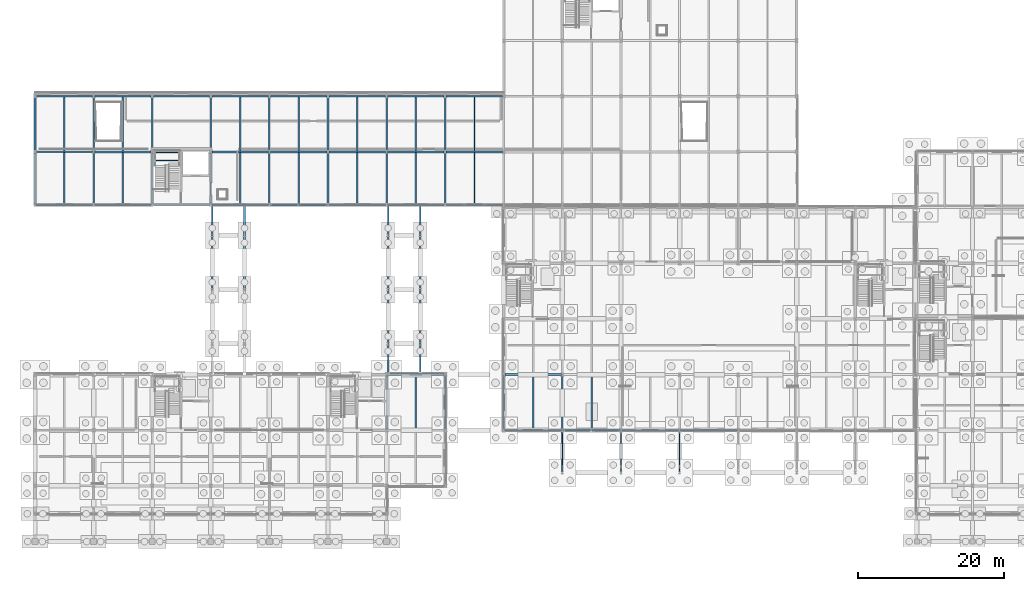
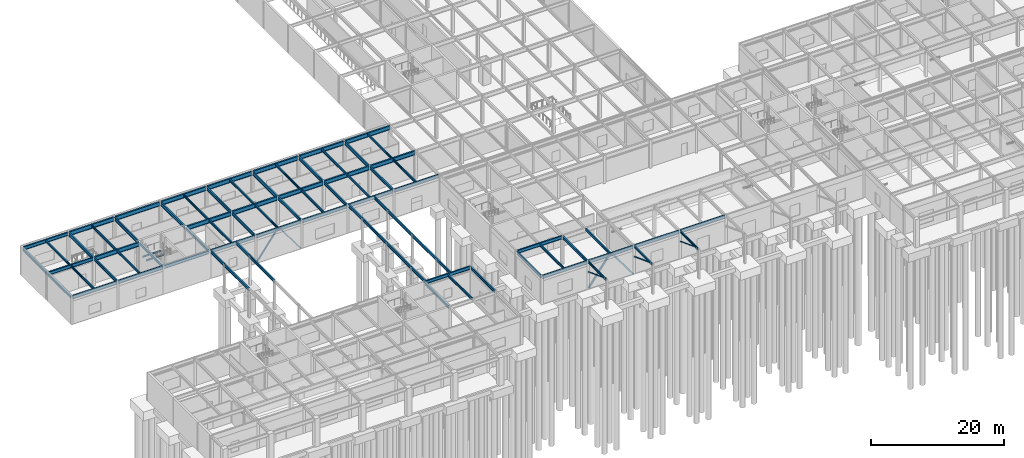
# One storey, part 29 of 62: 83 beams, 7 members.
"""IFC4 building model written with IfcOpenShell, lengths in metres."""

from ifc_helpers import new_model, si_unit, direction, frame, origin, origin_2d, place, context, subcontext, project, spatial, hollow_rectangle, i_section, extrude, material, material_profile, profile_set, type_object, element, save


model = new_model("IFC4")

# Units and contexts
model_context = context("Model", 3, precision=1e-05, world=origin(), true_north=direction((0.0, 1.0)))
body_context = subcontext(model_context, "Body", "Model", "MODEL_VIEW")
ifc_project = project(units=[si_unit("LENGTHUNIT", "METRE"), si_unit("AREAUNIT", "SQUARE_METRE"), si_unit("VOLUMEUNIT", "CUBIC_METRE"), si_unit("PLANEANGLEUNIT", "RADIAN"), si_unit("MASSUNIT", "GRAM", prefix="KILO")], contexts=[model_context])

# Site, building, storey
site_placement = place(None, origin())
site = spatial("IfcSite", under=ifc_project, at=site_placement, CompositionType="ELEMENT")
building_placement = place(site_placement, origin())
building = spatial("IfcBuilding", under=site, at=building_placement, Name="Zulena Civic Courthouse", CompositionType="ELEMENT")
storey_placement = place(building_placement, origin())
storey = spatial("IfcBuildingStorey", under=building, at=storey_placement, Name="L00", CompositionType="ELEMENT", Elevation=0.0)

# Members
ifc_material_1 = material(Name="Steel ASTM A500 Grade C", Category="steel")
ifc_material_profile_1 = material_profile(ifc_material_1, hollow_rectangle(XDim=0.25390625, YDim=0.25390625, WallThickness=0.01171875, at=origin_2d()), Name="HSS10X10X1/2")
ifc_profile_set_1 = profile_set([ifc_material_profile_1], Name="Steel ASTM A500 Grade C")
member_type_1 = type_object("IfcMemberType", Name="Brace_HSS10", PredefinedType="BRACE", material=ifc_profile_set_1)
for number, where, z_axis, x_axis, name in (
    (1, (76.14990234375, 15.199951171875, 0.010009765625), (0.593744110518, 0.0, 0.804653920158), (0.0, 1.0, 0.0), "brace:V4:L00:4:0"),
    (2, (83.85009765625, 15.199951171875, 0.010009765625), (-0.593744110518, 0.0, 0.804653920158), (0.0, -1.0, 0.0), "brace:V4:L00:4:1"),
):
    element("IfcMember", number, at=place(storey_placement, frame(where, z_axis=z_axis, x_axis=x_axis)), inside=storey, type_object=member_type_1, Name=name, PredefinedType="BRACE", context=body_context, shape_type="SweptSolid", body=[
        extrude(hollow_rectangle(XDim=0.25390625, YDim=0.25390625, WallThickness=0.01171875, at=origin_2d()), origin(), (0.0, 0.0, 1.0), 6.400146484375),
    ])
ifc_material_profile_2 = material_profile(ifc_material_1, hollow_rectangle(XDim=0.202880859375, YDim=0.202880859375, WallThickness=0.01171875, at=origin_2d()), Name="HSS8X8X1/2")
ifc_profile_set_2 = profile_set([ifc_material_profile_2], Name="Steel ASTM A500 Grade C")
member_type_2 = type_object("IfcMemberType", Name="Brace_HSS8", PredefinedType="BRACE", material=ifc_profile_set_2)
for number, where, z_axis, x_axis, name in (
    (3, (36.14990234375, 46.0, 0.010009765625), (0.593744110518, 0.0, 0.804653920158), (0.0, 1.0, 0.0), "brace:V5:L00:5:0"),
    (4, (43.85009765625, 46.0, 0.010009765625), (-0.593744110518, 0.0, 0.804653920158), (0.0, -1.0, 0.0), "brace:V5:L00:5:1"),
):
    element("IfcMember", number, at=place(storey_placement, frame(where, z_axis=z_axis, x_axis=x_axis)), inside=storey, type_object=member_type_2, Name=name, PredefinedType="BRACE", context=body_context, shape_type="SweptSolid", body=[
        extrude(hollow_rectangle(XDim=0.202880859375, YDim=0.202880859375, WallThickness=0.01171875, at=origin_2d()), origin(), (0.0, 0.0, 1.0), 6.400146484375),
    ])

# Beams
ifc_material_2 = material(Name="Steel ASTM A992 Grade 50", Category="steel")
ifc_material_profile_3 = material_profile(ifc_material_2, i_section(OverallWidth=0.2099609375, OverallDepth=0.537109375, WebThickness=0.010986328125, FlangeThickness=0.017333984375, FilletRadius=0.0126953125, at=origin_2d()), Name="W21X68")
ifc_profile_set_3 = profile_set([ifc_material_profile_3], Name="Steel ASTM A992 Grade 50")
beam_type_1 = type_object("IfcBeamType", Name="BridgeGirder_W21X68", PredefinedType="BEAM", material=ifc_profile_set_3)
beam_1_placement = place(storey_placement, frame((28.199951171875, 34.39990234375, 4.9365234375), z_axis=(0.0, 1.0, 0.0), x_axis=(-1.0, 0.0, 0.0)))
element("IfcBeam", 5, at=beam_1_placement, inside=storey, type_object=beam_type_1, Name="beam:bridge:BR-52J:L01:28.20:2", PredefinedType="BEAM", context=body_context, shape_type="SweptSolid", body=[
    extrude(i_section(OverallWidth=0.2099609375, OverallDepth=0.537109375, WebThickness=0.010986328125, FlangeThickness=0.017333984375, FilletRadius=0.0126953125, at=origin_2d()), origin(), (0.0, 0.0, 1.0), 7.400146484375),
])
beam_2_placement = place(storey_placement, frame((28.199951171875, 41.800048828125, 4.9365234375), z_axis=(0.0, 1.0, 0.0), x_axis=(-1.0, 0.0, 0.0)))
element("IfcBeam", 6, at=beam_2_placement, inside=storey, type_object=beam_type_1, Name="beam:bridge:BR-52J:L01:28.20:3", PredefinedType="BEAM", context=body_context, shape_type="SweptSolid", body=[
    extrude(i_section(OverallWidth=0.2099609375, OverallDepth=0.537109375, WebThickness=0.010986328125, FlangeThickness=0.017333984375, FilletRadius=0.0126953125, at=origin_2d()), origin(), (0.0, 0.0, 1.0), 4.169921875),
])
beam_3_placement = place(storey_placement, frame((32.60009765625, 34.39990234375, 4.9365234375), z_axis=(0.0, 1.0, 0.0), x_axis=(-1.0, 0.0, 0.0)))
element("IfcBeam", 7, at=beam_3_placement, inside=storey, type_object=beam_type_1, Name="beam:bridge:BR-52J:L01:32.60:2", PredefinedType="BEAM", context=body_context, shape_type="SweptSolid", body=[
    extrude(i_section(OverallWidth=0.2099609375, OverallDepth=0.537109375, WebThickness=0.010986328125, FlangeThickness=0.017333984375, FilletRadius=0.0126953125, at=origin_2d()), origin(), (0.0, 0.0, 1.0), 7.400146484375),
])
for number, where, z_axis, x_axis, name in (
    (8, (32.60009765625, 41.800048828125, 4.9365234375), (0.0, 1.0, 0.0), (-1.0, 0.0, 0.0), "beam:bridge:BR-52J:L01:32.60:3"),
    (9, (52.199951171875, 22.830078125, 4.9365234375), (0.0, 1.0, 0.0), (-1.0, 0.0, 0.0), "beam:bridge:BR-52C:L01:52.20:0"),
):
    element("IfcBeam", number, at=place(storey_placement, frame(where, z_axis=z_axis, x_axis=x_axis)), inside=storey, type_object=beam_type_1, Name=name, PredefinedType="BEAM", context=body_context, shape_type="SweptSolid", body=[
        extrude(i_section(OverallWidth=0.2099609375, OverallDepth=0.537109375, WebThickness=0.010986328125, FlangeThickness=0.017333984375, FilletRadius=0.0126953125, at=origin_2d()), origin(), (0.0, 0.0, 1.0), 4.169921875),
    ])
beam_4_placement = place(storey_placement, frame((52.199951171875, 27.0, 4.9365234375), z_axis=(0.0, 1.0, 0.0), x_axis=(-1.0, 0.0, 0.0)))
element("IfcBeam", 10, at=beam_4_placement, inside=storey, type_object=beam_type_1, Name="beam:bridge:BR-52C:L01:52.20:1", PredefinedType="BEAM", context=body_context, shape_type="SweptSolid", body=[
    extrude(i_section(OverallWidth=0.2099609375, OverallDepth=0.537109375, WebThickness=0.010986328125, FlangeThickness=0.017333984375, FilletRadius=0.0126953125, at=origin_2d()), origin(), (0.0, 0.0, 1.0), 7.39990234375),
])
beam_5_placement = place(storey_placement, frame((52.199951171875, 34.39990234375, 4.9365234375), z_axis=(0.0, 1.0, 0.0), x_axis=(-1.0, 0.0, 0.0)))
element("IfcBeam", 11, at=beam_5_placement, inside=storey, type_object=beam_type_1, Name="beam:bridge:BR-52C:L01:52.20:2", PredefinedType="BEAM", context=body_context, shape_type="SweptSolid", body=[
    extrude(i_section(OverallWidth=0.2099609375, OverallDepth=0.537109375, WebThickness=0.010986328125, FlangeThickness=0.017333984375, FilletRadius=0.0126953125, at=origin_2d()), origin(), (0.0, 0.0, 1.0), 7.400146484375),
])
for number, where, z_axis, x_axis, name in (
    (12, (52.199951171875, 41.800048828125, 4.9365234375), (0.0, 1.0, 0.0), (-1.0, 0.0, 0.0), "beam:bridge:BR-52C:L01:52.20:3"),
    (13, (56.60009765625, 22.830078125, 4.9365234375), (0.0, 1.0, 0.0), (-1.0, 0.0, 0.0), "beam:bridge:BR-52C:L01:56.60:0"),
):
    element("IfcBeam", number, at=place(storey_placement, frame(where, z_axis=z_axis, x_axis=x_axis)), inside=storey, type_object=beam_type_1, Name=name, PredefinedType="BEAM", context=body_context, shape_type="SweptSolid", body=[
        extrude(i_section(OverallWidth=0.2099609375, OverallDepth=0.537109375, WebThickness=0.010986328125, FlangeThickness=0.017333984375, FilletRadius=0.0126953125, at=origin_2d()), origin(), (0.0, 0.0, 1.0), 4.169921875),
    ])
beam_6_placement = place(storey_placement, frame((56.60009765625, 27.0, 4.9365234375), z_axis=(0.0, 1.0, 0.0), x_axis=(-1.0, 0.0, 0.0)))
element("IfcBeam", 14, at=beam_6_placement, inside=storey, type_object=beam_type_1, Name="beam:bridge:BR-52C:L01:56.60:1", PredefinedType="BEAM", context=body_context, shape_type="SweptSolid", body=[
    extrude(i_section(OverallWidth=0.2099609375, OverallDepth=0.537109375, WebThickness=0.010986328125, FlangeThickness=0.017333984375, FilletRadius=0.0126953125, at=origin_2d()), origin(), (0.0, 0.0, 1.0), 7.39990234375),
])
beam_7_placement = place(storey_placement, frame((56.60009765625, 34.39990234375, 4.9365234375), z_axis=(0.0, 1.0, 0.0), x_axis=(-1.0, 0.0, 0.0)))
element("IfcBeam", 15, at=beam_7_placement, inside=storey, type_object=beam_type_1, Name="beam:bridge:BR-52C:L01:56.60:2", PredefinedType="BEAM", context=body_context, shape_type="SweptSolid", body=[
    extrude(i_section(OverallWidth=0.2099609375, OverallDepth=0.537109375, WebThickness=0.010986328125, FlangeThickness=0.017333984375, FilletRadius=0.0126953125, at=origin_2d()), origin(), (0.0, 0.0, 1.0), 7.400146484375),
])
beam_8_placement = place(storey_placement, frame((56.60009765625, 41.800048828125, 4.9365234375), z_axis=(0.0, 1.0, 0.0), x_axis=(-1.0, 0.0, 0.0)))
element("IfcBeam", 16, at=beam_8_placement, inside=storey, type_object=beam_type_1, Name="beam:bridge:BR-52C:L01:56.60:3", PredefinedType="BEAM", context=body_context, shape_type="SweptSolid", body=[
    extrude(i_section(OverallWidth=0.2099609375, OverallDepth=0.537109375, WebThickness=0.010986328125, FlangeThickness=0.017333984375, FilletRadius=0.0126953125, at=origin_2d()), origin(), (0.0, 0.0, 1.0), 4.169921875),
])
ifc_material_profile_4 = material_profile(ifc_material_2, i_section(OverallWidth=0.177978515625, OverallDepth=0.406005859375, WebThickness=0.0078125, FlangeThickness=0.0126953125, FilletRadius=0.01025390625, at=origin_2d()), Name="W16X40")
ifc_profile_set_4 = profile_set([ifc_material_profile_4], Name="Steel ASTM A992 Grade 50")
beam_type_2 = type_object("IfcBeamType", Name="CanopyBeam_W16X40", PredefinedType="BEAM", material=ifc_profile_set_4)
for number, where, z_axis, x_axis, name in (
    (17, (76.0, 9.56005859375, 5.0419921875), (0.0, 1.0, 0.0), (-1.0, 0.0, 0.0), "beam:canopy:76.0"),
    (18, (84.0, 9.56005859375, 5.0419921875), (0.0, 1.0, 0.0), (-1.0, 0.0, 0.0), "beam:canopy:84.0"),
    (19, (92.0, 9.56005859375, 5.0419921875), (0.0, 1.0, 0.0), (-1.0, 0.0, 0.0), "beam:canopy:92.0"),
):
    element("IfcBeam", number, at=place(storey_placement, frame(where, z_axis=z_axis, x_axis=x_axis)), inside=storey, type_object=beam_type_2, Name=name, PredefinedType="BEAM", context=body_context, shape_type="SweptSolid", body=[
        extrude(i_section(OverallWidth=0.177978515625, OverallDepth=0.406005859375, WebThickness=0.0078125, FlangeThickness=0.0126953125, FilletRadius=0.01025390625, at=origin_2d()), origin(), (0.0, 0.0, 1.0), 5.43994140625),
    ])

# Members
ifc_material_profile_5 = material_profile(ifc_material_1, hollow_rectangle(XDim=0.152099609375, YDim=0.152099609375, WallThickness=0.0087890625, at=origin_2d()), Name="HSS6X6X3/8")
ifc_profile_set_5 = profile_set([ifc_material_profile_5], Name="Steel ASTM A500 Grade C")
member_type_3 = type_object("IfcMemberType", Name="CanopyStrut_HSS6", PredefinedType="BRACE", material=ifc_profile_set_5)
member_placement = place(storey_placement, frame((84.0, 15.0, 3.199951171875), z_axis=(0.0, -0.935038849003, 0.354545273349), x_axis=(1.0, 0.0, 0.0)))
element("IfcMember", 20, at=member_placement, inside=storey, type_object=member_type_3, Name="mem:canopy:strut:84.0", PredefinedType="BRACE", context=body_context, shape_type="SweptSolid", body=[
    extrude(hollow_rectangle(XDim=0.152099609375, YDim=0.152099609375, WallThickness=0.0087890625, at=origin_2d()), origin(), (0.0, 0.0, 1.0), 5.133544921875),
])
ifc_material_profile_6 = material_profile(ifc_material_1, hollow_rectangle(XDim=0.10205078125, YDim=0.152099609375, WallThickness=0.0087890625, at=origin_2d()), Name="HSS6X4X3/8")
ifc_profile_set_6 = profile_set([ifc_material_profile_6], Name="Steel ASTM A500 Grade C")
member_type_4 = type_object("IfcMemberType", Name="CanopyStrut_HSS6X4", PredefinedType="BRACE", material=ifc_profile_set_6)
for number, where, z_axis, x_axis, name in (
    (21, (76.0, 15.0, 3.199951171875), (0.0, -0.935038849003, 0.354545273349), (1.0, 0.0, 0.0), "mem:canopy:strut:76.0"),
    (22, (92.0, 15.0, 3.199951171875), (0.0, -0.935038849003, 0.354545273349), (1.0, 0.0, 0.0), "mem:canopy:strut:92.0"),
):
    element("IfcMember", number, at=place(storey_placement, frame(where, z_axis=z_axis, x_axis=x_axis)), inside=storey, type_object=member_type_4, Name=name, PredefinedType="BRACE", context=body_context, shape_type="SweptSolid", body=[
        extrude(hollow_rectangle(XDim=0.10205078125, YDim=0.152099609375, WallThickness=0.0087890625, at=origin_2d()), origin(), (0.0, 0.0, 1.0), 5.133544921875),
    ])

# Beams
ifc_material_profile_7 = material_profile(ifc_material_2, i_section(OverallWidth=0.22802734375, OverallDepth=0.60693359375, WebThickness=0.01123046875, FlangeThickness=0.017333984375, FilletRadius=0.0126953125, at=origin_2d()), Name="W24X76")
ifc_profile_set_7 = profile_set([ifc_material_profile_7], Name="Steel ASTM A992 Grade 50")
beam_type_3 = type_object("IfcBeamType", Name="Girder_W24X76", PredefinedType="BEAM", material=ifc_profile_set_7)
for number, where, z_axis, x_axis, name in (
    (23, (12.0, 53.344970703125, 4.881591796875), (0.0, 1.0, 0.0), (-1.0, 0.0, 0.0), "beam:Y:V5:L00:12.0:53.2_60.8"),
    (24, (20.0, 53.344970703125, 4.881591796875), (0.0, 1.0, 0.0), (-1.0, 0.0, 0.0), "beam:Y:V5:L00:20.0:53.2_60.8"),
    (25, (28.0, 53.344970703125, 4.881591796875), (0.0, 1.0, 0.0), (-1.0, 0.0, 0.0), "beam:Y:V5:L00:28.0:53.2_60.8"),
    (26, (36.0, 53.344970703125, 4.881591796875), (0.0, 1.0, 0.0), (-1.0, 0.0, 0.0), "beam:Y:V5:L00:36.0:53.2_60.8"),
    (27, (44.0, 53.344970703125, 4.881591796875), (0.0, 1.0, 0.0), (-1.0, 0.0, 0.0), "beam:Y:V5:L00:44.0:53.2_60.8"),
    (28, (52.0, 53.344970703125, 4.881591796875), (0.0, 1.0, 0.0), (-1.0, 0.0, 0.0), "beam:Y:V5:L00:52.0:53.2_60.8"),
    (29, (60.0, 53.344970703125, 4.881591796875), (0.0, 1.0, 0.0), (-1.0, 0.0, 0.0), "beam:Y:V5:L00:60.0:53.2_60.8"),
):
    element("IfcBeam", number, at=place(storey_placement, frame(where, z_axis=z_axis, x_axis=x_axis)), inside=storey, type_object=beam_type_3, Name=name, PredefinedType="BEAM", context=body_context, shape_type="SweptSolid", body=[
        extrude(i_section(OverallWidth=0.22802734375, OverallDepth=0.60693359375, WebThickness=0.01123046875, FlangeThickness=0.017333984375, FilletRadius=0.0126953125, at=origin_2d()), origin(), (0.0, 0.0, 1.0), 7.31005859375),
    ])
ifc_material_profile_8 = material_profile(ifc_material_2, i_section(OverallWidth=0.26708984375, OverallDepth=0.761962890625, WebThickness=0.014404296875, FlangeThickness=0.021484375, FilletRadius=0.0166015625, at=origin_2d()), Name="W30X116")
ifc_profile_set_8 = profile_set([ifc_material_profile_8], Name="Steel ASTM A992 Grade 50")
beam_type_4 = type_object("IfcBeamType", Name="Girder_W30X116", PredefinedType="BEAM", material=ifc_profile_set_8)
for number, where, z_axis, x_axis, name in (
    (30, (12.14501953125, 53.199951171875, 4.803955078125), (1.0, 0.0, 0.0), (0.0, 1.0, 0.0), "beam:X:V5:L00:53.2:12.0_20.0"),
    (31, (28.14501953125, 53.199951171875, 4.803955078125), (1.0, 0.0, 0.0), (0.0, 1.0, 0.0), "beam:X:V5:L00:53.2:28.0_36.0"),
    (32, (36.14501953125, 53.199951171875, 4.803955078125), (1.0, 0.0, 0.0), (0.0, 1.0, 0.0), "beam:X:V5:L00:53.2:36.0_44.0"),
    (33, (44.14501953125, 53.199951171875, 4.803955078125), (1.0, 0.0, 0.0), (0.0, 1.0, 0.0), "beam:X:V5:L00:53.2:44.0_52.0"),
    (34, (52.14501953125, 53.199951171875, 4.803955078125), (1.0, 0.0, 0.0), (0.0, 1.0, 0.0), "beam:X:V5:L00:53.2:52.0_60.0"),
    (35, (60.14501953125, 53.199951171875, 4.803955078125), (1.0, 0.0, 0.0), (0.0, 1.0, 0.0), "beam:X:V5:L00:53.2:60.0_68.0"),
    (36, (12.14501953125, 60.800048828125, 4.803955078125), (1.0, 0.0, 0.0), (0.0, 1.0, 0.0), "beam:X:V5:L00:60.8:12.0_20.0"),
    (37, (20.14501953125, 60.800048828125, 4.803955078125), (1.0, 0.0, 0.0), (0.0, 1.0, 0.0), "beam:X:V5:L00:60.8:20.0_28.0"),
    (38, (28.14501953125, 60.800048828125, 4.803955078125), (1.0, 0.0, 0.0), (0.0, 1.0, 0.0), "beam:X:V5:L00:60.8:28.0_36.0"),
    (39, (36.14501953125, 60.800048828125, 4.803955078125), (1.0, 0.0, 0.0), (0.0, 1.0, 0.0), "beam:X:V5:L00:60.8:36.0_44.0"),
    (40, (44.14501953125, 60.800048828125, 4.803955078125), (1.0, 0.0, 0.0), (0.0, 1.0, 0.0), "beam:X:V5:L00:60.8:44.0_52.0"),
    (41, (52.14501953125, 60.800048828125, 4.803955078125), (1.0, 0.0, 0.0), (0.0, 1.0, 0.0), "beam:X:V5:L00:60.8:52.0_60.0"),
    (42, (60.14501953125, 60.800048828125, 4.803955078125), (1.0, 0.0, 0.0), (0.0, 1.0, 0.0), "beam:X:V5:L00:60.8:60.0_68.0"),
):
    element("IfcBeam", number, at=place(storey_placement, frame(where, z_axis=z_axis, x_axis=x_axis)), inside=storey, type_object=beam_type_4, Name=name, PredefinedType="BEAM", context=body_context, shape_type="SweptSolid", body=[
        extrude(i_section(OverallWidth=0.26708984375, OverallDepth=0.761962890625, WebThickness=0.014404296875, FlangeThickness=0.021484375, FilletRadius=0.0166015625, at=origin_2d()), origin(), (0.0, 0.0, 1.0), 7.7099609375),
    ])
ifc_material_profile_9 = material_profile(ifc_material_2, i_section(OverallWidth=0.14599609375, OverallDepth=0.258056640625, WebThickness=0.006103515625, FlangeThickness=0.009033203125, FilletRadius=0.007568359375, at=origin_2d()), Name="W10X22")
ifc_profile_set_9 = profile_set([ifc_material_profile_9], Name="Steel ASTM A992 Grade 50")
beam_type_5 = type_object("IfcBeamType", Name="Joist_W10X22", PredefinedType="JOIST", material=ifc_profile_set_9)
for number, where, z_axis, x_axis, name in (
    (43, (20.419921875, 52.0, 2.291015625), (1.0, 0.0, 0.0), (0.0, 1.0, 0.0), "beam:lnd:K5A:L00:0"),
    (44, (20.419921875, 53.10009765625, 2.291015625), (1.0, 0.0, 0.0), (0.0, 1.0, 0.0), "beam:lnd:K5A:L00:1"),
):
    element("IfcBeam", number, at=place(storey_placement, frame(where, z_axis=z_axis, x_axis=x_axis)), inside=storey, type_object=beam_type_5, Name=name, PredefinedType="JOIST", context=body_context, shape_type="SweptSolid", body=[
        extrude(i_section(OverallWidth=0.14599609375, OverallDepth=0.258056640625, WebThickness=0.006103515625, FlangeThickness=0.009033203125, FilletRadius=0.007568359375, at=origin_2d()), origin(), (0.0, 0.0, 1.0), 3.2001953125),
    ])
ifc_material_profile_10 = material_profile(ifc_material_2, i_section(OverallWidth=0.180908203125, OverallDepth=0.4169921875, WebThickness=0.010986328125, FlangeThickness=0.018310546875, FilletRadius=0.01025390625, at=origin_2d()), Name="W16X57")
ifc_profile_set_10 = profile_set([ifc_material_profile_10], Name="Steel ASTM A992 Grade 50")
beam_type_6 = type_object("IfcBeamType", Name="Joist_W16X57", PredefinedType="JOIST", material=ifc_profile_set_10)
beam_9_placement = place(storey_placement, frame((8.0, 46.10498046875, 4.9765625), z_axis=(0.0, 1.0, 0.0), x_axis=(-1.0, 0.0, 0.0)))
element("IfcBeam", 45, at=beam_9_placement, inside=storey, type_object=beam_type_6, Name="joist:V5:L00:8.00:46.0_53.2", PredefinedType="JOIST", context=body_context, shape_type="SweptSolid", body=[
    extrude(i_section(OverallWidth=0.180908203125, OverallDepth=0.4169921875, WebThickness=0.010986328125, FlangeThickness=0.018310546875, FilletRadius=0.01025390625, at=origin_2d()), origin(), (0.0, 0.0, 1.0), 6.989990234375),
])
beam_10_placement = place(storey_placement, frame((8.0, 53.304931640625, 4.9765625), z_axis=(0.0, 1.0, 0.0), x_axis=(-1.0, 0.0, 0.0)))
element("IfcBeam", 46, at=beam_10_placement, inside=storey, type_object=beam_type_6, Name="joist:V5:L00:8.00:53.2_60.8", PredefinedType="JOIST", context=body_context, shape_type="SweptSolid", body=[
    extrude(i_section(OverallWidth=0.180908203125, OverallDepth=0.4169921875, WebThickness=0.010986328125, FlangeThickness=0.018310546875, FilletRadius=0.01025390625, at=origin_2d()), origin(), (0.0, 0.0, 1.0), 7.39013671875),
])
beam_11_placement = place(storey_placement, frame((16.0, 46.10498046875, 4.9765625), z_axis=(0.0, 1.0, 0.0), x_axis=(-1.0, 0.0, 0.0)))
element("IfcBeam", 47, at=beam_11_placement, inside=storey, type_object=beam_type_6, Name="joist:V5:L00:16.00:46.0_53.2", PredefinedType="JOIST", context=body_context, shape_type="SweptSolid", body=[
    extrude(i_section(OverallWidth=0.180908203125, OverallDepth=0.4169921875, WebThickness=0.010986328125, FlangeThickness=0.018310546875, FilletRadius=0.01025390625, at=origin_2d()), origin(), (0.0, 0.0, 1.0), 6.989990234375),
])
beam_12_placement = place(storey_placement, frame((16.0, 53.304931640625, 4.9765625), z_axis=(0.0, 1.0, 0.0), x_axis=(-1.0, 0.0, 0.0)))
element("IfcBeam", 48, at=beam_12_placement, inside=storey, type_object=beam_type_6, Name="joist:V5:L00:16.00:53.2_60.8", PredefinedType="JOIST", context=body_context, shape_type="SweptSolid", body=[
    extrude(i_section(OverallWidth=0.180908203125, OverallDepth=0.4169921875, WebThickness=0.010986328125, FlangeThickness=0.018310546875, FilletRadius=0.01025390625, at=origin_2d()), origin(), (0.0, 0.0, 1.0), 7.39013671875),
])
beam_13_placement = place(storey_placement, frame((32.0, 46.10498046875, 4.9765625), z_axis=(0.0, 1.0, 0.0), x_axis=(-1.0, 0.0, 0.0)))
element("IfcBeam", 49, at=beam_13_placement, inside=storey, type_object=beam_type_6, Name="joist:V5:L00:32.00:46.0_53.2", PredefinedType="JOIST", context=body_context, shape_type="SweptSolid", body=[
    extrude(i_section(OverallWidth=0.180908203125, OverallDepth=0.4169921875, WebThickness=0.010986328125, FlangeThickness=0.018310546875, FilletRadius=0.01025390625, at=origin_2d()), origin(), (0.0, 0.0, 1.0), 6.989990234375),
])
beam_14_placement = place(storey_placement, frame((32.0, 53.304931640625, 4.9765625), z_axis=(0.0, 1.0, 0.0), x_axis=(-1.0, 0.0, 0.0)))
element("IfcBeam", 50, at=beam_14_placement, inside=storey, type_object=beam_type_6, Name="joist:V5:L00:32.00:53.2_60.8", PredefinedType="JOIST", context=body_context, shape_type="SweptSolid", body=[
    extrude(i_section(OverallWidth=0.180908203125, OverallDepth=0.4169921875, WebThickness=0.010986328125, FlangeThickness=0.018310546875, FilletRadius=0.01025390625, at=origin_2d()), origin(), (0.0, 0.0, 1.0), 7.39013671875),
])
beam_15_placement = place(storey_placement, frame((40.0, 46.10498046875, 4.9765625), z_axis=(0.0, 1.0, 0.0), x_axis=(-1.0, 0.0, 0.0)))
element("IfcBeam", 51, at=beam_15_placement, inside=storey, type_object=beam_type_6, Name="joist:V5:L00:40.00:46.0_53.2", PredefinedType="JOIST", context=body_context, shape_type="SweptSolid", body=[
    extrude(i_section(OverallWidth=0.180908203125, OverallDepth=0.4169921875, WebThickness=0.010986328125, FlangeThickness=0.018310546875, FilletRadius=0.01025390625, at=origin_2d()), origin(), (0.0, 0.0, 1.0), 6.989990234375),
])
beam_16_placement = place(storey_placement, frame((40.0, 53.304931640625, 4.9765625), z_axis=(0.0, 1.0, 0.0), x_axis=(-1.0, 0.0, 0.0)))
element("IfcBeam", 52, at=beam_16_placement, inside=storey, type_object=beam_type_6, Name="joist:V5:L00:40.00:53.2_60.8", PredefinedType="JOIST", context=body_context, shape_type="SweptSolid", body=[
    extrude(i_section(OverallWidth=0.180908203125, OverallDepth=0.4169921875, WebThickness=0.010986328125, FlangeThickness=0.018310546875, FilletRadius=0.01025390625, at=origin_2d()), origin(), (0.0, 0.0, 1.0), 7.39013671875),
])
beam_17_placement = place(storey_placement, frame((48.0, 46.10498046875, 4.9765625), z_axis=(0.0, 1.0, 0.0), x_axis=(-1.0, 0.0, 0.0)))
element("IfcBeam", 53, at=beam_17_placement, inside=storey, type_object=beam_type_6, Name="joist:V5:L00:48.00:46.0_53.2", PredefinedType="JOIST", context=body_context, shape_type="SweptSolid", body=[
    extrude(i_section(OverallWidth=0.180908203125, OverallDepth=0.4169921875, WebThickness=0.010986328125, FlangeThickness=0.018310546875, FilletRadius=0.01025390625, at=origin_2d()), origin(), (0.0, 0.0, 1.0), 6.989990234375),
])
beam_18_placement = place(storey_placement, frame((48.0, 53.304931640625, 4.9765625), z_axis=(0.0, 1.0, 0.0), x_axis=(-1.0, 0.0, 0.0)))
element("IfcBeam", 54, at=beam_18_placement, inside=storey, type_object=beam_type_6, Name="joist:V5:L00:48.00:53.2_60.8", PredefinedType="JOIST", context=body_context, shape_type="SweptSolid", body=[
    extrude(i_section(OverallWidth=0.180908203125, OverallDepth=0.4169921875, WebThickness=0.010986328125, FlangeThickness=0.018310546875, FilletRadius=0.01025390625, at=origin_2d()), origin(), (0.0, 0.0, 1.0), 7.39013671875),
])
beam_19_placement = place(storey_placement, frame((56.0, 46.10498046875, 4.9765625), z_axis=(0.0, 1.0, 0.0), x_axis=(-1.0, 0.0, 0.0)))
element("IfcBeam", 55, at=beam_19_placement, inside=storey, type_object=beam_type_6, Name="joist:V5:L00:56.00:46.0_53.2", PredefinedType="JOIST", context=body_context, shape_type="SweptSolid", body=[
    extrude(i_section(OverallWidth=0.180908203125, OverallDepth=0.4169921875, WebThickness=0.010986328125, FlangeThickness=0.018310546875, FilletRadius=0.01025390625, at=origin_2d()), origin(), (0.0, 0.0, 1.0), 6.989990234375),
])
beam_20_placement = place(storey_placement, frame((56.0, 53.304931640625, 4.9765625), z_axis=(0.0, 1.0, 0.0), x_axis=(-1.0, 0.0, 0.0)))
element("IfcBeam", 56, at=beam_20_placement, inside=storey, type_object=beam_type_6, Name="joist:V5:L00:56.00:53.2_60.8", PredefinedType="JOIST", context=body_context, shape_type="SweptSolid", body=[
    extrude(i_section(OverallWidth=0.180908203125, OverallDepth=0.4169921875, WebThickness=0.010986328125, FlangeThickness=0.018310546875, FilletRadius=0.01025390625, at=origin_2d()), origin(), (0.0, 0.0, 1.0), 7.39013671875),
])
beam_21_placement = place(storey_placement, frame((64.0, 46.10498046875, 4.9765625), z_axis=(0.0, 1.0, 0.0), x_axis=(-1.0, 0.0, 0.0)))
element("IfcBeam", 57, at=beam_21_placement, inside=storey, type_object=beam_type_6, Name="joist:V5:L00:64.00:46.0_53.2", PredefinedType="JOIST", context=body_context, shape_type="SweptSolid", body=[
    extrude(i_section(OverallWidth=0.180908203125, OverallDepth=0.4169921875, WebThickness=0.010986328125, FlangeThickness=0.018310546875, FilletRadius=0.01025390625, at=origin_2d()), origin(), (0.0, 0.0, 1.0), 6.989990234375),
])
beam_22_placement = place(storey_placement, frame((64.0, 53.304931640625, 4.9765625), z_axis=(0.0, 1.0, 0.0), x_axis=(-1.0, 0.0, 0.0)))
element("IfcBeam", 58, at=beam_22_placement, inside=storey, type_object=beam_type_6, Name="joist:V5:L00:64.00:53.2_60.8", PredefinedType="JOIST", context=body_context, shape_type="SweptSolid", body=[
    extrude(i_section(OverallWidth=0.180908203125, OverallDepth=0.4169921875, WebThickness=0.010986328125, FlangeThickness=0.018310546875, FilletRadius=0.01025390625, at=origin_2d()), origin(), (0.0, 0.0, 1.0), 7.39013671875),
])
ifc_material_profile_11 = material_profile(ifc_material_2, i_section(OverallWidth=0.19091796875, OverallDepth=0.4599609375, WebThickness=0.010009765625, FlangeThickness=0.01611328125, FilletRadius=0.01025390625, at=origin_2d()), Name="W18X55")
ifc_profile_set_11 = profile_set([ifc_material_profile_11], Name="Steel ASTM A992 Grade 50")
beam_type_7 = type_object("IfcBeamType", Name="Joist_W18X55", PredefinedType="JOIST", material=ifc_profile_set_11)
for number, where, z_axis, x_axis, name in (
    (59, (56.0, 15.304931640625, 4.955078125), (0.0, 1.0, 0.0), (-1.0, 0.0, 0.0), "joist:V2:L00:56.00:15.2_22.8"),
    (60, (72.0, 15.304931640625, 4.955078125), (0.0, 1.0, 0.0), (-1.0, 0.0, 0.0), "joist:V4:L00:72.00:15.2_22.8"),
    (61, (80.0, 15.304931640625, 4.955078125), (0.0, 1.0, 0.0), (-1.0, 0.0, 0.0), "joist:V4:L00:80.00:15.2_22.8"),
):
    element("IfcBeam", number, at=place(storey_placement, frame(where, z_axis=z_axis, x_axis=x_axis)), inside=storey, type_object=beam_type_7, Name=name, PredefinedType="JOIST", context=body_context, shape_type="SweptSolid", body=[
        extrude(i_section(OverallWidth=0.19091796875, OverallDepth=0.4599609375, WebThickness=0.010009765625, FlangeThickness=0.01611328125, FilletRadius=0.01025390625, at=origin_2d()), origin(), (0.0, 0.0, 1.0), 7.39013671875),
    ])
ifc_material_profile_12 = material_profile(ifc_material_2, i_section(OverallWidth=0.2099609375, OverallDepth=0.537109375, WebThickness=0.010986328125, FlangeThickness=0.017333984375, FilletRadius=0.0126953125, at=origin_2d()), Name="W21X68")
ifc_profile_set_12 = profile_set([ifc_material_profile_12], Name="Steel ASTM A992 Grade 50")
beam_type_8 = type_object("IfcBeamType", Name="Spandrel_W21X68", PredefinedType="SPANDREL", material=ifc_profile_set_12)
for number, where, z_axis, x_axis, name in (
    (62, (52.0, 15.344970703125, 4.91650390625), (0.0, 1.0, 0.0), (-1.0, 0.0, 0.0), "beam:Y:V2:L00:52.0:15.2_22.8"),
    (63, (60.0, 15.344970703125, 4.91650390625), (0.0, 1.0, 0.0), (-1.0, 0.0, 0.0), "beam:Y:V2:L00:60.0:15.2_22.8"),
    (64, (68.0, 15.344970703125, 4.91650390625), (0.0, 1.0, 0.0), (-1.0, 0.0, 0.0), "beam:Y:V4:L00:68.0:15.2_22.8"),
    (65, (76.0, 15.344970703125, 4.91650390625), (0.0, 1.0, 0.0), (-1.0, 0.0, 0.0), "beam:Y:V4:L00:76.0:15.2_22.8"),
):
    element("IfcBeam", number, at=place(storey_placement, frame(where, z_axis=z_axis, x_axis=x_axis)), inside=storey, type_object=beam_type_8, Name=name, PredefinedType="SPANDREL", context=body_context, shape_type="SweptSolid", body=[
        extrude(i_section(OverallWidth=0.2099609375, OverallDepth=0.537109375, WebThickness=0.010986328125, FlangeThickness=0.017333984375, FilletRadius=0.0126953125, at=origin_2d()), origin(), (0.0, 0.0, 1.0), 7.31005859375),
    ])
beam_23_placement = place(storey_placement, frame((4.0, 46.14501953125, 4.91650390625), z_axis=(0.0, 1.0, 0.0), x_axis=(-1.0, 0.0, 0.0)))
element("IfcBeam", 66, at=beam_23_placement, inside=storey, type_object=beam_type_8, Name="beam:Y:V5:L00:4.0:46.0_53.2", PredefinedType="SPANDREL", context=body_context, shape_type="SweptSolid", body=[
    extrude(i_section(OverallWidth=0.2099609375, OverallDepth=0.537109375, WebThickness=0.010986328125, FlangeThickness=0.017333984375, FilletRadius=0.0126953125, at=origin_2d()), origin(), (0.0, 0.0, 1.0), 6.909912109375),
])
beam_24_placement = place(storey_placement, frame((4.0, 53.344970703125, 4.91650390625), z_axis=(0.0, 1.0, 0.0), x_axis=(-1.0, 0.0, 0.0)))
element("IfcBeam", 67, at=beam_24_placement, inside=storey, type_object=beam_type_8, Name="beam:Y:V5:L00:4.0:53.2_60.8", PredefinedType="SPANDREL", context=body_context, shape_type="SweptSolid", body=[
    extrude(i_section(OverallWidth=0.2099609375, OverallDepth=0.537109375, WebThickness=0.010986328125, FlangeThickness=0.017333984375, FilletRadius=0.0126953125, at=origin_2d()), origin(), (0.0, 0.0, 1.0), 7.31005859375),
])
for number, where, z_axis, x_axis, name in (
    (68, (12.0, 46.14501953125, 4.91650390625), (0.0, 1.0, 0.0), (-1.0, 0.0, 0.0), "beam:Y:V5:L00:12.0:46.0_53.2"),
    (69, (20.0, 46.14501953125, 4.91650390625), (0.0, 1.0, 0.0), (-1.0, 0.0, 0.0), "beam:Y:V5:L00:20.0:46.0_53.2"),
    (70, (28.0, 46.14501953125, 4.91650390625), (0.0, 1.0, 0.0), (-1.0, 0.0, 0.0), "beam:Y:V5:L00:28.0:46.0_53.2"),
    (71, (36.0, 46.14501953125, 4.91650390625), (0.0, 1.0, 0.0), (-1.0, 0.0, 0.0), "beam:Y:V5:L00:36.0:46.0_53.2"),
    (72, (44.0, 46.14501953125, 4.91650390625), (0.0, 1.0, 0.0), (-1.0, 0.0, 0.0), "beam:Y:V5:L00:44.0:46.0_53.2"),
    (73, (52.0, 46.14501953125, 4.91650390625), (0.0, 1.0, 0.0), (-1.0, 0.0, 0.0), "beam:Y:V5:L00:52.0:46.0_53.2"),
    (74, (60.0, 46.14501953125, 4.91650390625), (0.0, 1.0, 0.0), (-1.0, 0.0, 0.0), "beam:Y:V5:L00:60.0:46.0_53.2"),
):
    element("IfcBeam", number, at=place(storey_placement, frame(where, z_axis=z_axis, x_axis=x_axis)), inside=storey, type_object=beam_type_8, Name=name, PredefinedType="SPANDREL", context=body_context, shape_type="SweptSolid", body=[
        extrude(i_section(OverallWidth=0.2099609375, OverallDepth=0.537109375, WebThickness=0.010986328125, FlangeThickness=0.017333984375, FilletRadius=0.0126953125, at=origin_2d()), origin(), (0.0, 0.0, 1.0), 6.909912109375),
    ])
ifc_material_profile_13 = material_profile(ifc_material_2, i_section(OverallWidth=0.22998046875, OverallDepth=0.616943359375, WebThickness=0.01318359375, FlangeThickness=0.022216796875, FilletRadius=0.0126953125, at=origin_2d()), Name="W24X94")
ifc_profile_set_13 = profile_set([ifc_material_profile_13], Name="Steel ASTM A992 Grade 50")
beam_type_9 = type_object("IfcBeamType", Name="Spandrel_W24X94", PredefinedType="SPANDREL", material=ifc_profile_set_13)
for number, where, z_axis, x_axis, name in (
    (75, (52.14501953125, 22.800048828125, 4.87646484375), (1.0, 0.0, 0.0), (0.0, 1.0, 0.0), "beam:X:V2:L00:22.8:52.0_60.0"),
    (76, (68.14501953125, 15.199951171875, 4.87646484375), (1.0, 0.0, 0.0), (0.0, 1.0, 0.0), "beam:X:V4:L00:15.2:68.0_76.0"),
    (77, (76.14501953125, 15.199951171875, 4.87646484375), (1.0, 0.0, 0.0), (0.0, 1.0, 0.0), "beam:X:V4:L00:15.2:76.0_84.0"),
    (78, (84.14501953125, 15.199951171875, 4.87646484375), (1.0, 0.0, 0.0), (0.0, 1.0, 0.0), "beam:X:V4:L00:15.2:84.0_92.0"),
    (79, (92.14501953125, 15.199951171875, 4.87646484375), (1.0, 0.0, 0.0), (0.0, 1.0, 0.0), "beam:X:V4:L00:15.2:92.0_100.0"),
    (80, (68.14501953125, 22.800048828125, 4.87646484375), (1.0, 0.0, 0.0), (0.0, 1.0, 0.0), "beam:X:V4:L00:22.8:68.0_76.0"),
    (81, (4.14501953125, 46.0, 4.87646484375), (1.0, 0.0, 0.0), (0.0, 1.0, 0.0), "beam:X:V5:L00:46.0:4.0_12.0"),
    (82, (12.14501953125, 46.0, 4.87646484375), (1.0, 0.0, 0.0), (0.0, 1.0, 0.0), "beam:X:V5:L00:46.0:12.0_20.0"),
    (83, (20.14501953125, 46.0, 4.87646484375), (1.0, 0.0, 0.0), (0.0, 1.0, 0.0), "beam:X:V5:L00:46.0:20.0_28.0"),
    (84, (28.14501953125, 46.0, 4.87646484375), (1.0, 0.0, 0.0), (0.0, 1.0, 0.0), "beam:X:V5:L00:46.0:28.0_36.0"),
    (85, (36.14501953125, 46.0, 4.87646484375), (1.0, 0.0, 0.0), (0.0, 1.0, 0.0), "beam:X:V5:L00:46.0:36.0_44.0"),
    (86, (44.14501953125, 46.0, 4.87646484375), (1.0, 0.0, 0.0), (0.0, 1.0, 0.0), "beam:X:V5:L00:46.0:44.0_52.0"),
    (87, (52.14501953125, 46.0, 4.87646484375), (1.0, 0.0, 0.0), (0.0, 1.0, 0.0), "beam:X:V5:L00:46.0:52.0_60.0"),
    (88, (60.14501953125, 46.0, 4.87646484375), (1.0, 0.0, 0.0), (0.0, 1.0, 0.0), "beam:X:V5:L00:46.0:60.0_68.0"),
    (89, (4.14501953125, 53.199951171875, 4.87646484375), (1.0, 0.0, 0.0), (0.0, 1.0, 0.0), "beam:X:V5:L00:53.2:4.0_12.0"),
    (90, (4.14501953125, 60.800048828125, 4.87646484375), (1.0, 0.0, 0.0), (0.0, 1.0, 0.0), "beam:X:V5:L00:60.8:4.0_12.0"),
):
    element("IfcBeam", number, at=place(storey_placement, frame(where, z_axis=z_axis, x_axis=x_axis)), inside=storey, type_object=beam_type_9, Name=name, PredefinedType="SPANDREL", context=body_context, shape_type="SweptSolid", body=[
        extrude(i_section(OverallWidth=0.22998046875, OverallDepth=0.616943359375, WebThickness=0.01318359375, FlangeThickness=0.022216796875, FilletRadius=0.0126953125, at=origin_2d()), origin(), (0.0, 0.0, 1.0), 7.7099609375),
    ])

save(model, "model.ifc")
